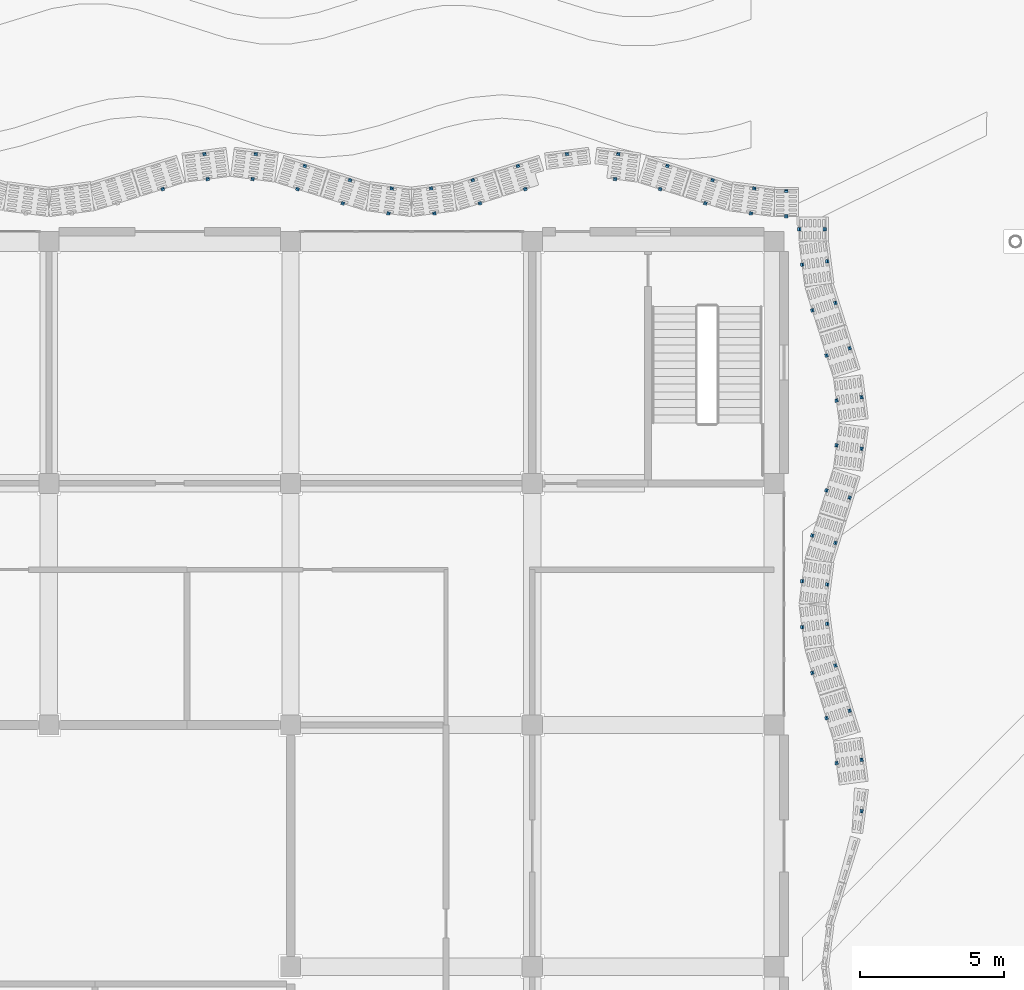
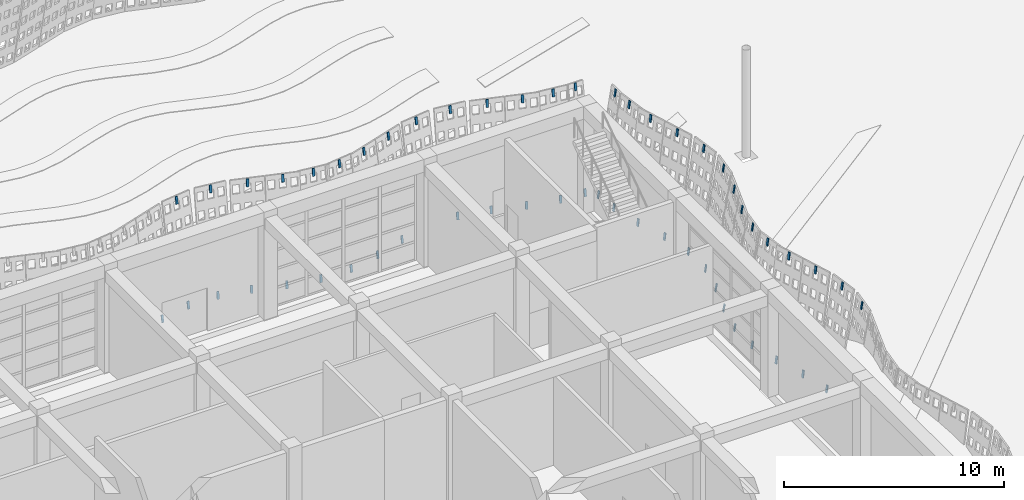
# One storey, part 138 of 210: 55 discrete accessories.
"""IFC4 building model written with IfcOpenShell, lengths in metres."""

from ifc_helpers import new_model, si_unit, direction, frame, origin, origin_2d, place, context, subcontext, project, spatial, rectangle, extrude, material, material_profile, profile_set, type_object, element, save


model = new_model("IFC4")

# Units and contexts
model_context = context("Model", 3, precision=1e-05, world=origin(), true_north=direction((0.0, 1.0)))
body_context = subcontext(model_context, "Body", "Model", "MODEL_VIEW")
ifc_project = project(units=[si_unit("LENGTHUNIT", "METRE"), si_unit("AREAUNIT", "SQUARE_METRE"), si_unit("VOLUMEUNIT", "CUBIC_METRE"), si_unit("PLANEANGLEUNIT", "RADIAN"), si_unit("MASSUNIT", "GRAM", prefix="KILO")], contexts=[model_context])

# Site, building, storey
site_placement = place(None, origin())
site = spatial("IfcSite", under=ifc_project, at=site_placement, CompositionType="ELEMENT")
building_placement = place(site_placement, origin())
building = spatial("IfcBuilding", under=site, at=building_placement, Name="Rain Tree Exposition and Congress Centre", CompositionType="ELEMENT")
storey_placement = place(building_placement, origin())
storey = spatial("IfcBuildingStorey", under=building, at=storey_placement, Name="L00", CompositionType="ELEMENT", Elevation=0.0)

# Discrete accessories
ifc_material = material(Name="Steel S355J2", Category="steel")
ifc_material_profile = material_profile(ifc_material, rectangle(XDim=0.1201171875, YDim=0.050048828125, at=origin_2d()), Name="Flat bar 120x50")
ifc_profile_set = profile_set([ifc_material_profile], Name="Steel S355J2")
discrete_accessory_type = type_object("IfcDiscreteAccessoryType", Name="Screen bracket 120x50", PredefinedType="BRACKET", material=ifc_profile_set)
for number, where, z_axis, x_axis, name in (
    (1, (53.413330078125, 30.611083984375, 5.351318359375), (0.160502747552, -0.020749404626, 0.986817272972), (0.128210633661, 0.991746960377, 0.0), "wing/bracket/L00/0541t"),
    (2, (53.413330078125, 32.388916015625, 5.351318359375), (0.160502747552, 0.020749404626, 0.986817272972), (-0.128210633661, 0.991746960377, 0.0), "wing/bracket/L00/0551t"),
    (3, (52.54443359375, 32.27587890625, 0.00390625), (0.160502747552, 0.020749404626, 0.986817272972), (-0.128210633661, 0.991746960377, 0.0), "wing/bracket/L00/0551b"),
):
    element("IfcDiscreteAccessory", number, at=place(storey_placement, frame(where, z_axis=z_axis, x_axis=x_axis)), inside=storey, type_object=discrete_accessory_type, Name=name, PredefinedType="BRACKET", context=body_context, shape_type="SweptSolid", body=[
        extrude(rectangle(XDim=0.1201171875, YDim=0.050048828125, at=origin_2d()), origin(), (0.0, 0.0, 1.0), 0.400146484375),
    ])
for number, where, z_axis, x_axis, name in (
    (4, (53.001708984375, 34.08740234375, 5.35107421875), (0.148952572715, 0.047005524996, 0.987726486281), (-0.300944311801, 0.953641715318, 0.0), "wing/bracket/L00/0561t"),
    (5, (52.197509765625, 33.834716796875, 0.00390625), (0.148952572715, 0.047005524996, 0.987726486281), (-0.300944311801, 0.953641715318, 0.0), "wing/bracket/L00/0561b"),
    (6, (52.5078125, 35.6591796875, 5.35107421875), (0.148952572715, 0.047005524996, 0.987726486281), (-0.300944311801, 0.953641715318, 0.0), "wing/bracket/L00/0571t"),
    (7, (51.70361328125, 35.406494140625, 0.00390625), (0.148359804637, 0.046400597335, 0.987844295896), (-0.298498621301, 0.954410065476, 0.0), "wing/bracket/L00/0571b"),
    (8, (52.21875, 37.1123046875, 5.351318359375), (0.159908105102, 0.020751433487, 0.986913763168), (-0.128691897898, 0.991684624977, 0.0), "wing/bracket/L00/0581t"),
):
    element("IfcDiscreteAccessory", number, at=place(storey_placement, frame(where, z_axis=z_axis, x_axis=x_axis)), inside=storey, type_object=discrete_accessory_type, Name=name, PredefinedType="BRACKET", context=body_context, shape_type="SweptSolid", body=[
        extrude(rectangle(XDim=0.1201171875, YDim=0.050048828125, at=origin_2d()), origin(), (0.0, 0.0, 1.0), 0.39990234375),
    ])
discrete_accessory_1_placement = place(storey_placement, frame((51.349609375, 36.9990234375, 0.00390625), z_axis=(0.160500685277, 0.021359406786, 0.986804593507), x_axis=(-0.131916834829, 0.991260787426, 0.0)))
element("IfcDiscreteAccessory", 9, at=discrete_accessory_1_placement, inside=storey, type_object=discrete_accessory_type, Name="wing/bracket/L00/0581b", PredefinedType="BRACKET", context=body_context, shape_type="SweptSolid", body=[
    extrude(rectangle(XDim=0.1201171875, YDim=0.050048828125, at=origin_2d()), origin(), (0.0, 0.0, 1.0), 0.400146484375),
])
discrete_accessory_2_placement = place(storey_placement, frame((52.21875, 38.48779296875, 5.351318359375), z_axis=(0.159908105102, -0.020751433487, 0.986913763168), x_axis=(0.128691897898, 0.991684624977, 0.0)))
element("IfcDiscreteAccessory", 10, at=discrete_accessory_2_placement, inside=storey, type_object=discrete_accessory_type, Name="wing/bracket/L00/0591t", PredefinedType="BRACKET", context=body_context, shape_type="SweptSolid", body=[
    extrude(rectangle(XDim=0.1201171875, YDim=0.050048828125, at=origin_2d()), origin(), (0.0, 0.0, 1.0), 0.39990234375),
])
discrete_accessory_3_placement = place(storey_placement, frame((51.349609375, 38.600830078125, 0.00390625), z_axis=(0.160502747552, -0.020749404626, 0.986817272972), x_axis=(0.128210633661, 0.991746960377, 0.0)))
element("IfcDiscreteAccessory", 11, at=discrete_accessory_3_placement, inside=storey, type_object=discrete_accessory_type, Name="wing/bracket/L00/0591b", PredefinedType="BRACKET", context=body_context, shape_type="SweptSolid", body=[
    extrude(rectangle(XDim=0.1201171875, YDim=0.050048828125, at=origin_2d()), origin(), (0.0, 0.0, 1.0), 0.400146484375),
])
for number, where, z_axis, x_axis, name in (
    (12, (52.5078125, 39.94091796875, 5.35107421875), (0.148952572715, -0.047005524996, 0.987726486281), (0.300944311801, 0.953641715318, 0.0), "wing/bracket/L00/0601t"),
    (13, (51.70361328125, 40.193603515625, 0.00390625), (0.14835557426, -0.047009791021, 0.987816128201), (0.302069971973, 0.953285755706, 0.0), "wing/bracket/L00/0601b"),
    (14, (53.001708984375, 41.512451171875, 5.35107421875), (0.148956819344, -0.046396386353, 0.987754646309), (0.297383659044, 0.954758063246, 0.0), "wing/bracket/L00/0611t"),
    (15, (52.197509765625, 41.76513671875, 0.00390625), (0.148956819344, -0.046396386353, 0.987754646309), (0.297383659044, 0.954758063246, 0.0), "wing/bracket/L00/0611b"),
):
    element("IfcDiscreteAccessory", number, at=place(storey_placement, frame(where, z_axis=z_axis, x_axis=x_axis)), inside=storey, type_object=discrete_accessory_type, Name=name, PredefinedType="BRACKET", context=body_context, shape_type="SweptSolid", body=[
        extrude(rectangle(XDim=0.1201171875, YDim=0.050048828125, at=origin_2d()), origin(), (0.0, 0.0, 1.0), 0.39990234375),
    ])
for number, where, z_axis, x_axis, name in (
    (16, (53.413330078125, 43.211181640625, 5.351318359375), (0.160500685277, -0.021359406786, 0.986804593507), (0.131916834829, 0.991260787426, 0.0), "wing/bracket/L00/0621t"),
    (17, (52.54443359375, 43.32421875, 0.00390625), (0.160502747552, -0.020749404626, 0.986817272972), (0.128210633661, 0.991746960377, 0.0), "wing/bracket/L00/0621b"),
    (18, (53.413330078125, 44.989013671875, 5.351318359375), (0.160502747552, 0.020749404626, 0.986817272972), (-0.128210633661, 0.991746960377, 0.0), "wing/bracket/L00/0631t"),
    (19, (52.54443359375, 44.875732421875, 0.00390625), (0.160502747552, 0.020749404626, 0.986817272972), (-0.128210633661, 0.991746960377, 0.0), "wing/bracket/L00/0631b"),
):
    element("IfcDiscreteAccessory", number, at=place(storey_placement, frame(where, z_axis=z_axis, x_axis=x_axis)), inside=storey, type_object=discrete_accessory_type, Name=name, PredefinedType="BRACKET", context=body_context, shape_type="SweptSolid", body=[
        extrude(rectangle(XDim=0.1201171875, YDim=0.050048828125, at=origin_2d()), origin(), (0.0, 0.0, 1.0), 0.400146484375),
    ])
for number, where, z_axis, x_axis, name in (
    (20, (53.001708984375, 46.6875, 5.35107421875), (0.148952572715, 0.047005524996, 0.987726486281), (-0.300944311801, 0.953641715318, 0.0), "wing/bracket/L00/0641t"),
    (21, (52.197509765625, 46.434814453125, 0.00390625), (0.148956819344, 0.046396386353, 0.987754646309), (-0.297383659044, 0.954758063246, 0.0), "wing/bracket/L00/0641b"),
    (22, (52.5078125, 48.25927734375, 5.35107421875), (0.148956819344, 0.046396386353, 0.987754646309), (-0.297383659044, 0.954758063246, 0.0), "wing/bracket/L00/0651t"),
    (23, (51.70361328125, 48.00634765625, 0.00390625), (0.14835557426, 0.047009791021, 0.987816128201), (-0.302069971973, 0.953285755706, 0.0), "wing/bracket/L00/0651b"),
    (24, (52.21875, 49.712158203125, 5.351318359375), (0.159906050065, 0.021361495238, 0.986901079984), (-0.132411522928, 0.991194828778, 0.0), "wing/bracket/L00/0661t"),
):
    element("IfcDiscreteAccessory", number, at=place(storey_placement, frame(where, z_axis=z_axis, x_axis=x_axis)), inside=storey, type_object=discrete_accessory_type, Name=name, PredefinedType="BRACKET", context=body_context, shape_type="SweptSolid", body=[
        extrude(rectangle(XDim=0.1201171875, YDim=0.050048828125, at=origin_2d()), origin(), (0.0, 0.0, 1.0), 0.39990234375),
    ])
discrete_accessory_4_placement = place(storey_placement, frame((51.349609375, 49.59912109375, 0.00390625), z_axis=(0.160502747552, 0.020749404626, 0.986817272972), x_axis=(-0.128210633661, 0.991746960377, 0.0)))
element("IfcDiscreteAccessory", 25, at=discrete_accessory_4_placement, inside=storey, type_object=discrete_accessory_type, Name="wing/bracket/L00/0661b", PredefinedType="BRACKET", context=body_context, shape_type="SweptSolid", body=[
    extrude(rectangle(XDim=0.1201171875, YDim=0.050048828125, at=origin_2d()), origin(), (0.0, 0.0, 1.0), 0.400146484375),
])
for number, where, z_axis, x_axis, name in (
    (26, (52.1298828125, 50.8349609375, 5.351318359375), (0.163606968355, 0.0, 0.986525600228), (0.0, 1.0, 0.0), "wing/bracket/L00/0671t"),
    (27, (51.246337890625, 50.8349609375, 0.004150390625), (0.163012746375, 0.0, 0.986623963078), (0.0, 1.0, 0.0), "wing/bracket/L00/0671b"),
    (28, (50.8349609375, 52.1298828125, 5.351318359375), (0.0, 0.163606968355, 0.986525600228), (-1.0, 0.0, 0.0), "wing/bracket/L00/0681t"),
    (29, (50.8349609375, 51.246337890625, 0.004150390625), (0.0, 0.163012746375, 0.986623963078), (-1.0, 0.0, 0.0), "wing/bracket/L00/0681b"),
    (30, (49.712158203125, 52.21875, 5.351318359375), (0.021361495238, 0.159906050065, 0.986901079984), (-0.991194828778, 0.132411522928, 0.0), "wing/bracket/L00/0691t"),
):
    element("IfcDiscreteAccessory", number, at=place(storey_placement, frame(where, z_axis=z_axis, x_axis=x_axis)), inside=storey, type_object=discrete_accessory_type, Name=name, PredefinedType="BRACKET", context=body_context, shape_type="SweptSolid", body=[
        extrude(rectangle(XDim=0.1201171875, YDim=0.050048828125, at=origin_2d()), origin(), (0.0, 0.0, 1.0), 0.39990234375),
    ])
discrete_accessory_5_placement = place(storey_placement, frame((49.59912109375, 51.349609375, 0.00390625), z_axis=(0.020749404626, 0.160502747552, 0.986817272972), x_axis=(-0.991746960377, 0.128210633661, 0.0)))
element("IfcDiscreteAccessory", 31, at=discrete_accessory_5_placement, inside=storey, type_object=discrete_accessory_type, Name="wing/bracket/L00/0691b", PredefinedType="BRACKET", context=body_context, shape_type="SweptSolid", body=[
    extrude(rectangle(XDim=0.1201171875, YDim=0.050048828125, at=origin_2d()), origin(), (0.0, 0.0, 1.0), 0.400146484375),
])
for number, where, z_axis, x_axis, name in (
    (32, (48.25927734375, 52.5078125, 5.35107421875), (0.046396386353, 0.148956819344, 0.987754646309), (-0.954758063246, 0.297383659044, 0.0), "wing/bracket/L00/0701t"),
    (33, (48.00634765625, 51.70361328125, 0.00390625), (0.047009791021, 0.14835557426, 0.987816128201), (-0.953285755706, 0.302069971973, 0.0), "wing/bracket/L00/0701b"),
    (34, (46.6875, 53.001708984375, 5.35107421875), (0.047005524996, 0.148952572715, 0.987726486281), (-0.953641715318, 0.300944311801, 0.0), "wing/bracket/L00/0711t"),
    (35, (46.434814453125, 52.197509765625, 0.00390625), (0.046396386353, 0.148956819344, 0.987754646309), (-0.954758063246, 0.297383659044, 0.0), "wing/bracket/L00/0711b"),
):
    element("IfcDiscreteAccessory", number, at=place(storey_placement, frame(where, z_axis=z_axis, x_axis=x_axis)), inside=storey, type_object=discrete_accessory_type, Name=name, PredefinedType="BRACKET", context=body_context, shape_type="SweptSolid", body=[
        extrude(rectangle(XDim=0.1201171875, YDim=0.050048828125, at=origin_2d()), origin(), (0.0, 0.0, 1.0), 0.39990234375),
    ])
for number, where, z_axis, x_axis, name in (
    (36, (44.989013671875, 53.413330078125, 5.351318359375), (0.020749404626, 0.160502747552, 0.986817272972), (-0.991746960377, 0.128210633661, 0.0), "wing/bracket/L00/0721t"),
    (37, (44.875732421875, 52.54443359375, 0.00390625), (0.020749404626, 0.160502747552, 0.986817272972), (-0.991746960377, 0.128210633661, 0.0), "wing/bracket/L00/0721b"),
    (38, (43.211181640625, 53.413330078125, 5.351318359375), (-0.021359406786, 0.160500685277, 0.986804593507), (-0.991260787426, -0.131916834829, 0.0), "wing/bracket/L00/0731t"),
):
    element("IfcDiscreteAccessory", number, at=place(storey_placement, frame(where, z_axis=z_axis, x_axis=x_axis)), inside=storey, type_object=discrete_accessory_type, Name=name, PredefinedType="BRACKET", context=body_context, shape_type="SweptSolid", body=[
        extrude(rectangle(XDim=0.1201171875, YDim=0.050048828125, at=origin_2d()), origin(), (0.0, 0.0, 1.0), 0.400146484375),
    ])
for number, where, z_axis, x_axis, name in (
    (39, (41.512451171875, 53.001708984375, 5.35107421875), (-0.046396386353, 0.148956819344, 0.987754646309), (-0.954758063246, -0.297383659044, 0.0), "wing/bracket/L00/0741t"),
    (40, (41.76513671875, 52.197509765625, 0.00390625), (-0.046396386353, 0.148956819344, 0.987754646309), (-0.954758063246, -0.297383659044, 0.0), "wing/bracket/L00/0741b"),
    (41, (39.94091796875, 52.5078125, 5.35107421875), (-0.047005524996, 0.148952572715, 0.987726486281), (-0.953641715318, -0.300944311801, 0.0), "wing/bracket/L00/0751t"),
    (42, (40.193603515625, 51.70361328125, 0.00390625), (-0.047009791021, 0.14835557426, 0.987816128201), (-0.953285755706, -0.302069971973, 0.0), "wing/bracket/L00/0751b"),
    (43, (38.48779296875, 52.21875, 5.351318359375), (-0.020751433487, 0.159908105102, 0.986913763168), (-0.991684624977, -0.128691897898, 0.0), "wing/bracket/L00/0761t"),
):
    element("IfcDiscreteAccessory", number, at=place(storey_placement, frame(where, z_axis=z_axis, x_axis=x_axis)), inside=storey, type_object=discrete_accessory_type, Name=name, PredefinedType="BRACKET", context=body_context, shape_type="SweptSolid", body=[
        extrude(rectangle(XDim=0.1201171875, YDim=0.050048828125, at=origin_2d()), origin(), (0.0, 0.0, 1.0), 0.39990234375),
    ])
discrete_accessory_6_placement = place(storey_placement, frame((38.600830078125, 51.349609375, 0.00390625), z_axis=(-0.020749404626, 0.160502747552, 0.986817272972), x_axis=(-0.991746960377, -0.128210633661, 0.0)))
element("IfcDiscreteAccessory", 44, at=discrete_accessory_6_placement, inside=storey, type_object=discrete_accessory_type, Name="wing/bracket/L00/0761b", PredefinedType="BRACKET", context=body_context, shape_type="SweptSolid", body=[
    extrude(rectangle(XDim=0.1201171875, YDim=0.050048828125, at=origin_2d()), origin(), (0.0, 0.0, 1.0), 0.400146484375),
])
discrete_accessory_7_placement = place(storey_placement, frame((37.1123046875, 52.21875, 5.351318359375), z_axis=(0.020751433487, 0.159908105102, 0.986913763168), x_axis=(-0.991684624977, 0.128691897898, 0.0)))
element("IfcDiscreteAccessory", 45, at=discrete_accessory_7_placement, inside=storey, type_object=discrete_accessory_type, Name="wing/bracket/L00/0771t", PredefinedType="BRACKET", context=body_context, shape_type="SweptSolid", body=[
    extrude(rectangle(XDim=0.1201171875, YDim=0.050048828125, at=origin_2d()), origin(), (0.0, 0.0, 1.0), 0.39990234375),
])
discrete_accessory_8_placement = place(storey_placement, frame((36.9990234375, 51.349609375, 0.00390625), z_axis=(0.021359406786, 0.160500685277, 0.986804593507), x_axis=(-0.991260787426, 0.131916834829, 0.0)))
element("IfcDiscreteAccessory", 46, at=discrete_accessory_8_placement, inside=storey, type_object=discrete_accessory_type, Name="wing/bracket/L00/0771b", PredefinedType="BRACKET", context=body_context, shape_type="SweptSolid", body=[
    extrude(rectangle(XDim=0.1201171875, YDim=0.050048828125, at=origin_2d()), origin(), (0.0, 0.0, 1.0), 0.400146484375),
])
for number, where, z_axis, x_axis, name in (
    (47, (35.6591796875, 52.5078125, 5.35107421875), (0.047005524996, 0.148952572715, 0.987726486281), (-0.953641715318, 0.300944311801, 0.0), "wing/bracket/L00/0781t"),
    (48, (35.406494140625, 51.70361328125, 0.00390625), (0.046400597335, 0.148359804637, 0.987844295896), (-0.954410065476, 0.298498621301, 0.0), "wing/bracket/L00/0781b"),
    (49, (34.08740234375, 53.001708984375, 5.35107421875), (0.047005524996, 0.148952572715, 0.987726486281), (-0.953641715318, 0.300944311801, 0.0), "wing/bracket/L00/0791t"),
    (50, (33.834716796875, 52.197509765625, 0.00390625), (0.047005524996, 0.148952572715, 0.987726486281), (-0.953641715318, 0.300944311801, 0.0), "wing/bracket/L00/0791b"),
):
    element("IfcDiscreteAccessory", number, at=place(storey_placement, frame(where, z_axis=z_axis, x_axis=x_axis)), inside=storey, type_object=discrete_accessory_type, Name=name, PredefinedType="BRACKET", context=body_context, shape_type="SweptSolid", body=[
        extrude(rectangle(XDim=0.1201171875, YDim=0.050048828125, at=origin_2d()), origin(), (0.0, 0.0, 1.0), 0.39990234375),
    ])
for number, where, z_axis, x_axis, name in (
    (51, (32.388916015625, 53.413330078125, 5.351318359375), (0.020749404626, 0.160502747552, 0.986817272972), (-0.991746960377, 0.128210633661, 0.0), "wing/bracket/L00/0801t"),
    (52, (32.27587890625, 52.54443359375, 0.00390625), (0.020749404626, 0.160502747552, 0.986817272972), (-0.991746960377, 0.128210633661, 0.0), "wing/bracket/L00/0801b"),
    (53, (30.611083984375, 53.413330078125, 5.351318359375), (-0.020749404626, 0.160502747552, 0.986817272972), (-0.991746960377, -0.128210633661, 0.0), "wing/bracket/L00/0811t"),
    (54, (30.72412109375, 52.54443359375, 0.00390625), (-0.020749404626, 0.160502747552, 0.986817272972), (-0.991746960377, -0.128210633661, 0.0), "wing/bracket/L00/0811b"),
):
    element("IfcDiscreteAccessory", number, at=place(storey_placement, frame(where, z_axis=z_axis, x_axis=x_axis)), inside=storey, type_object=discrete_accessory_type, Name=name, PredefinedType="BRACKET", context=body_context, shape_type="SweptSolid", body=[
        extrude(rectangle(XDim=0.1201171875, YDim=0.050048828125, at=origin_2d()), origin(), (0.0, 0.0, 1.0), 0.400146484375),
    ])
discrete_accessory_9_placement = place(storey_placement, frame((29.165283203125, 52.197509765625, 0.00390625), z_axis=(-0.047005524996, 0.148952572715, 0.987726486281), x_axis=(-0.953641715318, -0.300944311801, 0.0)))
element("IfcDiscreteAccessory", 55, at=discrete_accessory_9_placement, inside=storey, type_object=discrete_accessory_type, Name="wing/bracket/L00/0821b", PredefinedType="BRACKET", context=body_context, shape_type="SweptSolid", body=[
    extrude(rectangle(XDim=0.1201171875, YDim=0.050048828125, at=origin_2d()), origin(), (0.0, 0.0, 1.0), 0.39990234375),
])

save(model, "model.ifc")
